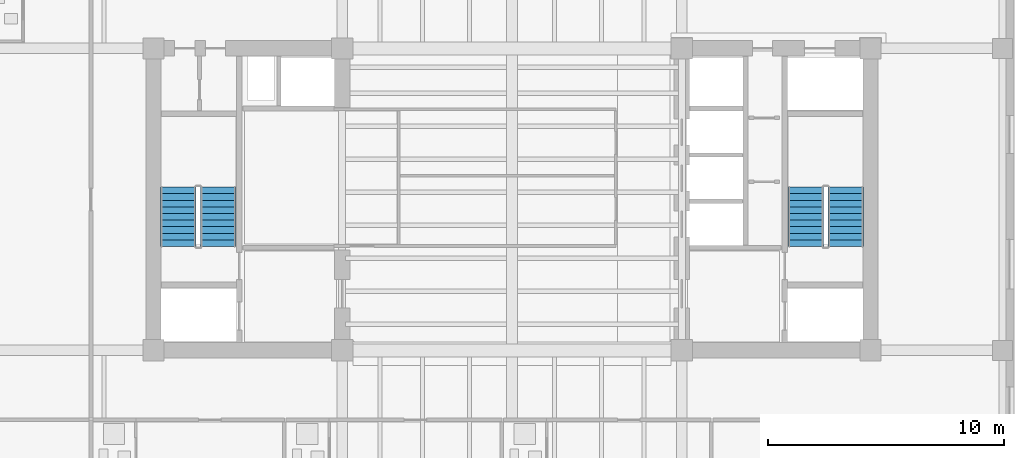
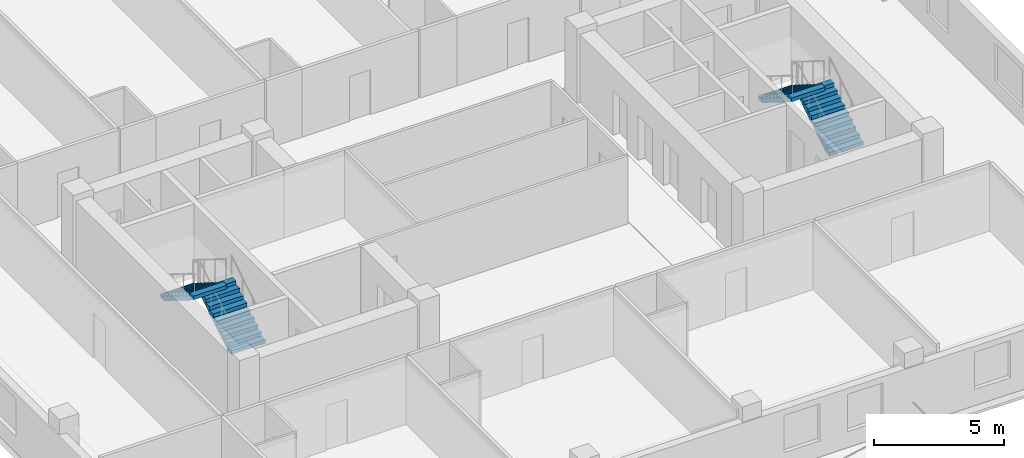
# One storey, part 6 of 11: 4 stair flights, 2 elements without a shape of their own.
"""IFC4 building model written with IfcOpenShell, lengths in metres."""

from ifc_helpers import new_model, si_unit, direction, frame, origin, place, context, subcontext, project, spatial, polyline, outline, extrude, material, type_object, element, aggregate, save


model = new_model("IFC4")

# Units and contexts
model_context = context("Model", 3, precision=1e-05, world=origin(), true_north=direction((0.0, 1.0)))
body_context = subcontext(model_context, "Body", "Model", "MODEL_VIEW")
ifc_project = project(units=[si_unit("LENGTHUNIT", "METRE"), si_unit("AREAUNIT", "SQUARE_METRE"), si_unit("VOLUMEUNIT", "CUBIC_METRE"), si_unit("PLANEANGLEUNIT", "RADIAN"), si_unit("MASSUNIT", "GRAM", prefix="KILO")], contexts=[model_context])

# Site, building, storey
site_placement = place(None, origin())
site = spatial("IfcSite", under=ifc_project, at=site_placement, CompositionType="ELEMENT")
building_placement = place(site_placement, origin())
building = spatial("IfcBuilding", under=site, at=building_placement, Name="Kranthara Brick Stack", CompositionType="ELEMENT")
storey_placement = place(building_placement, frame((0.0, 0.0, 190.300048828125)))
storey = spatial("IfcBuildingStorey", under=building, at=storey_placement, Name="L49", CompositionType="ELEMENT", Elevation=190.300048828125)

# Stair, stair flights
ifc_material_1 = material(Name="Concrete C45/55", Category="concrete")
stair_type = type_object("IfcStairType", Name="ST-CORE-20R", PredefinedType="HALF_TURN_STAIR", material=ifc_material_1)
stair_1_placement = place(storey_placement, origin())
stair_1 = element("IfcStair", 1, at=stair_1_placement, inside=storey, type_object=stair_type, Name="L49 West Core Protected Exit Stair ST01", PredefinedType="HALF_TURN_STAIR")
ifc_material_2 = material(Name="Concrete C45/55", Category="concrete")
stair_flight_type = type_object("IfcStairFlightType", Name="SFL-RC-20R", PredefinedType="STRAIGHT", material=ifc_material_2)
stair_flight_1_placement = place(storey_placement, frame((15.550048828125, 25.199951171875, 0.0), z_axis=(0.0, 0.0, 1.0), x_axis=(0.0, 1.0, 0.0)))
stair_flight_1 = element("IfcStairFlight", 2, at=stair_flight_1_placement, type_object=stair_flight_type, Name="ST01 flight 1", NumberOfRisers=10, NumberOfTreads=9, PredefinedType="STRAIGHT", RiserHeight=0.175, TreadLength=0.28, context=body_context, shape_type="SweptSolid", body=[
    extrude(outline(polyline([(0.0, 0.0), (0.0, 0.175048828125), (0.280029296875, 0.175048828125), (0.280029296875, 0.35009765625), (0.56005859375, 0.35009765625), (0.56005859375, 0.52490234375), (0.840087890625, 0.52490234375), (0.840087890625, 0.699951171875), (1.1201171875, 0.699951171875), (1.1201171875, 0.875), (1.39990234375, 0.875), (1.39990234375, 1.050048828125), (1.679931640625, 1.050048828125), (1.679931640625, 1.22509765625), (1.9599609375, 1.22509765625), (1.9599609375, 1.39990234375), (2.239990234375, 1.39990234375), (2.239990234375, 1.574951171875), (2.52001953125, 1.574951171875), (2.52001953125, 1.75), (2.52001953125, 1.398193359375), (0.28271484375, 0.0), (0.0, 0.0)])), frame((0.0, 0.75, 0.0), z_axis=(0.0, -1.0, 0.0), x_axis=(1.0, 0.0, 0.0)), (0.0, 0.0, 1.0), 1.5),
])
stair_flight_2_placement = place(storey_placement, frame((13.85009765625, 27.719970703125, 1.75), z_axis=(0.0, 0.0, 1.0), x_axis=(0.0, -1.0, 0.0)))
stair_flight_2 = element("IfcStairFlight", 3, at=stair_flight_2_placement, type_object=stair_flight_type, Name="ST01 flight 2", NumberOfRisers=10, NumberOfTreads=9, PredefinedType="STRAIGHT", RiserHeight=0.175, TreadLength=0.28, context=body_context, shape_type="SweptSolid", body=[
    extrude(outline(polyline([(0.0, 0.0), (0.0, 0.175048828125), (0.280029296875, 0.175048828125), (0.280029296875, 0.35009765625), (0.56005859375, 0.35009765625), (0.56005859375, 0.52490234375), (0.840087890625, 0.52490234375), (0.840087890625, 0.699951171875), (1.1201171875, 0.699951171875), (1.1201171875, 0.875), (1.39990234375, 0.875), (1.39990234375, 1.050048828125), (1.679931640625, 1.050048828125), (1.679931640625, 1.22509765625), (1.9599609375, 1.22509765625), (1.9599609375, 1.39990234375), (2.239990234375, 1.39990234375), (2.239990234375, 1.574951171875), (2.52001953125, 1.574951171875), (2.52001953125, 1.75), (2.52001953125, 1.398193359375), (0.28271484375, 0.0), (0.0, 0.0)])), frame((0.0, 0.75, 0.0), z_axis=(0.0, -1.0, 0.0), x_axis=(1.0, 0.0, 0.0)), (0.0, 0.0, 1.0), 1.5),
])
aggregate(stair_1, [stair_flight_1, stair_flight_2])

stair_2_placement = place(storey_placement, origin())
stair_2 = element("IfcStair", 4, at=stair_2_placement, inside=storey, type_object=stair_type, Name="L49 East Core Protected Exit Stair ST02", PredefinedType="HALF_TURN_STAIR")
stair_flight_3_placement = place(storey_placement, frame((42.14990234375, 25.199951171875, 0.0), z_axis=(0.0, 0.0, 1.0), x_axis=(0.0, 1.0, 0.0)))
stair_flight_3 = element("IfcStairFlight", 5, at=stair_flight_3_placement, type_object=stair_flight_type, Name="ST02 flight 1", NumberOfRisers=10, NumberOfTreads=9, PredefinedType="STRAIGHT", RiserHeight=0.175, TreadLength=0.28, context=body_context, shape_type="SweptSolid", body=[
    extrude(outline(polyline([(0.0, 0.0), (0.0, 0.175048828125), (0.280029296875, 0.175048828125), (0.280029296875, 0.35009765625), (0.56005859375, 0.35009765625), (0.56005859375, 0.52490234375), (0.840087890625, 0.52490234375), (0.840087890625, 0.699951171875), (1.1201171875, 0.699951171875), (1.1201171875, 0.875), (1.39990234375, 0.875), (1.39990234375, 1.050048828125), (1.679931640625, 1.050048828125), (1.679931640625, 1.22509765625), (1.9599609375, 1.22509765625), (1.9599609375, 1.39990234375), (2.239990234375, 1.39990234375), (2.239990234375, 1.574951171875), (2.52001953125, 1.574951171875), (2.52001953125, 1.75), (2.52001953125, 1.398193359375), (0.28271484375, 0.0), (0.0, 0.0)])), frame((0.0, 0.75, 0.0), z_axis=(0.0, -1.0, 0.0), x_axis=(1.0, 0.0, 0.0)), (0.0, 0.0, 1.0), 1.5),
])
stair_flight_4_placement = place(storey_placement, frame((40.449951171875, 27.719970703125, 1.75), z_axis=(0.0, 0.0, 1.0), x_axis=(0.0, -1.0, 0.0)))
stair_flight_4 = element("IfcStairFlight", 6, at=stair_flight_4_placement, type_object=stair_flight_type, Name="ST02 flight 2", NumberOfRisers=10, NumberOfTreads=9, PredefinedType="STRAIGHT", RiserHeight=0.175, TreadLength=0.28, context=body_context, shape_type="SweptSolid", body=[
    extrude(outline(polyline([(0.0, 0.0), (0.0, 0.175048828125), (0.280029296875, 0.175048828125), (0.280029296875, 0.35009765625), (0.56005859375, 0.35009765625), (0.56005859375, 0.52490234375), (0.840087890625, 0.52490234375), (0.840087890625, 0.699951171875), (1.1201171875, 0.699951171875), (1.1201171875, 0.875), (1.39990234375, 0.875), (1.39990234375, 1.050048828125), (1.679931640625, 1.050048828125), (1.679931640625, 1.22509765625), (1.9599609375, 1.22509765625), (1.9599609375, 1.39990234375), (2.239990234375, 1.39990234375), (2.239990234375, 1.574951171875), (2.52001953125, 1.574951171875), (2.52001953125, 1.75), (2.52001953125, 1.398193359375), (0.28271484375, 0.0), (0.0, 0.0)])), frame((0.0, 0.75, 0.0), z_axis=(0.0, -1.0, 0.0), x_axis=(1.0, 0.0, 0.0)), (0.0, 0.0, 1.0), 1.5),
])
aggregate(stair_2, [stair_flight_3, stair_flight_4])

save(model, "model.ifc")
